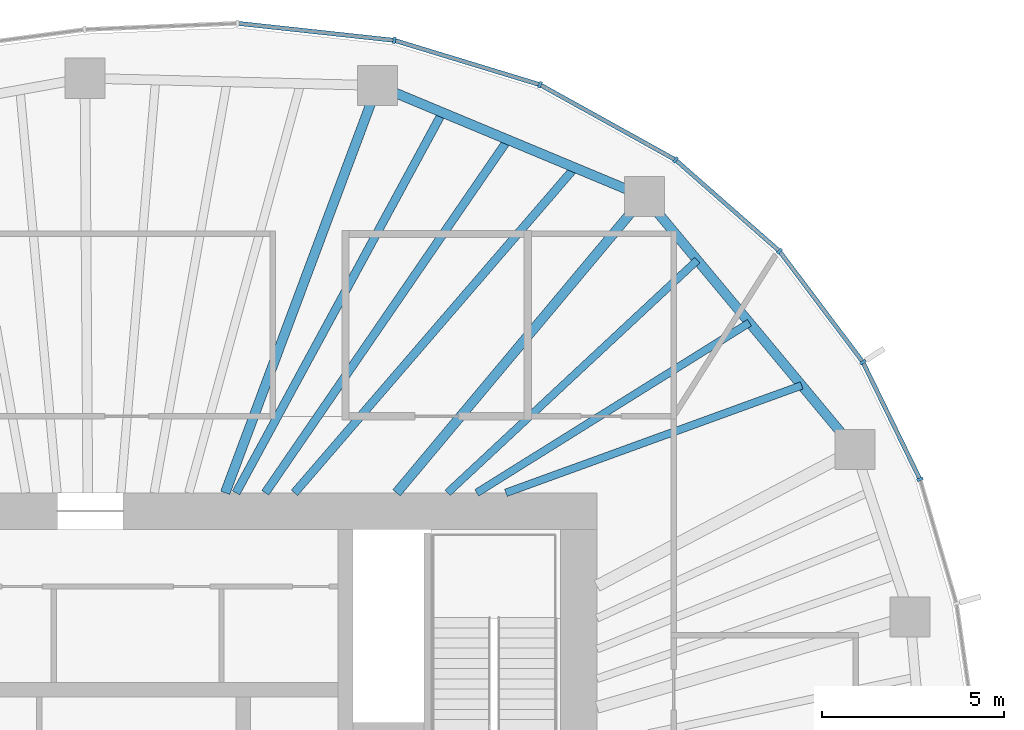
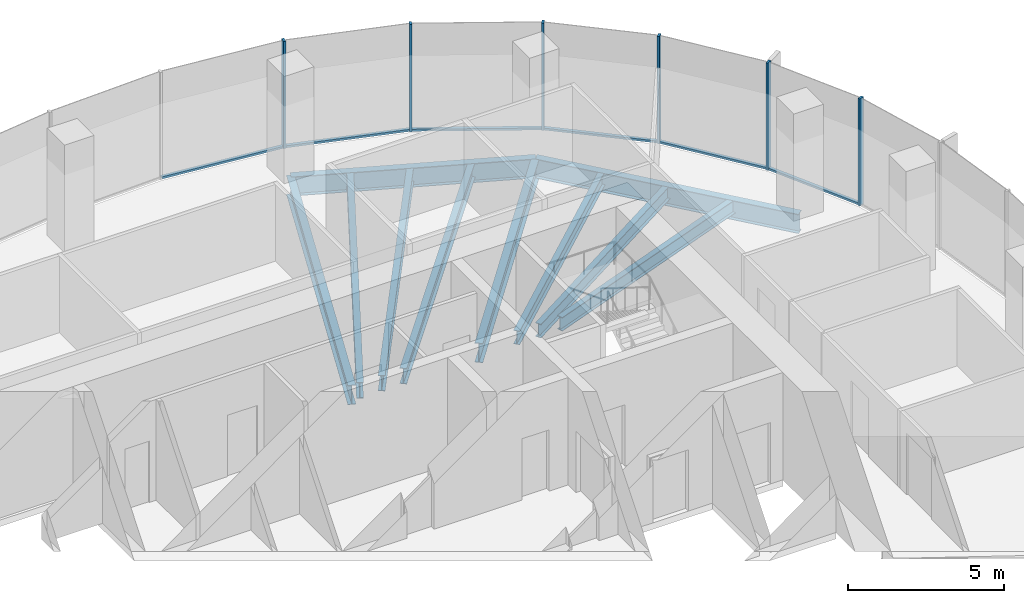
# One storey, part 6 of 12: 12 members, 10 beams, 4 elements without a shape of their own.
"""IFC4 building model written with IfcOpenShell, lengths in metres."""

from ifc_helpers import new_model, si_unit, direction, frame, origin, origin_2d, place, context, subcontext, project, spatial, rectangle, i_section, extrude, material, material_profile, profile_set, type_object, element, aggregate, save


model = new_model("IFC4")

# Units and contexts
model_context = context("Model", 3, precision=1e-05, world=origin(), true_north=direction((0.0, 1.0)))
body_context = subcontext(model_context, "Body", "Model", "MODEL_VIEW")
ifc_project = project(units=[si_unit("LENGTHUNIT", "METRE"), si_unit("AREAUNIT", "SQUARE_METRE"), si_unit("VOLUMEUNIT", "CUBIC_METRE"), si_unit("PLANEANGLEUNIT", "RADIAN"), si_unit("MASSUNIT", "GRAM", prefix="KILO")], contexts=[model_context])

# Site, building, storey
site_placement = place(None, origin())
site = spatial("IfcSite", under=ifc_project, at=site_placement, CompositionType="ELEMENT")
building_placement = place(site_placement, origin())
building = spatial("IfcBuilding", under=site, at=building_placement, Name="Ghaith Harvest Tower", CompositionType="ELEMENT")
storey_placement = place(building_placement, frame((0.0, 0.0, 296.39990234375)))
storey = spatial("IfcBuildingStorey", under=building, at=storey_placement, Name="L66", CompositionType="ELEMENT", Elevation=296.39990234375)

# Curtain wall, member
ifc_material_1 = material(Name="Black anodised aluminium and fritted glass", Category="aluminium")
curtain_wall_type = type_object("IfcCurtainWallType", Name="CW-T CURTAIN WALL", PredefinedType="NOTDEFINED", material=ifc_material_1)
curtain_wall_1_placement = place(storey_placement, origin())
curtain_wall_1 = element("IfcCurtainWall", 1, at=curtain_wall_1_placement, inside=storey, type_object=curtain_wall_type, Name="Curtain wall CW-T bay 02 L66", PredefinedType="NOTDEFINED")
ifc_material_2 = material(Name="Aluminium, black anodised", Category="aluminium")
ifc_material_profile_1 = material_profile(ifc_material_2, rectangle(XDim=0.080078125, YDim=0.179931640625, at=origin_2d()), Name="CW-T MULLION 80x180")
ifc_profile_set_1 = profile_set([ifc_material_profile_1], Name="Aluminium, black anodised")
member_type_1 = type_object("IfcMemberType", Name="CW-T MULLION 80x180", PredefinedType="MULLION", material=ifc_profile_set_1)
member_1_placement = place(storey_placement, frame((22.754150390625, 10.272216796875, 0.0), z_axis=(0.0, 0.0, 1.0), x_axis=(-0.361184273709, 0.932494461338, 0.0)))
member_1 = element("IfcMember", 2, at=member_1_placement, type_object=member_type_1, Name="CW-T mullion 2 bay 02 L66", PredefinedType="MULLION", context=body_context, shape_type="SweptSolid", body=[
    extrude(rectangle(XDim=0.080078125, YDim=0.179931640625, at=origin_2d()), origin(), (0.0, 0.0, 1.0), 4.2001953125),
])

# Curtain wall, members
curtain_wall_2_placement = place(storey_placement, origin())
curtain_wall_2 = element("IfcCurtainWall", 3, at=curtain_wall_2_placement, inside=storey, type_object=curtain_wall_type, Name="Curtain wall CW-T bay 03 L66", PredefinedType="NOTDEFINED")
member_2_placement = place(storey_placement, frame((21.18896484375, 13.48486328125, 0.0), z_axis=(0.0, 0.0, 1.0), x_axis=(-0.524482238522, 0.851421388899, 0.0)))
member_2 = element("IfcMember", 4, at=member_2_placement, type_object=member_type_1, Name="CW-T mullion 1 bay 03 L66", PredefinedType="MULLION", context=body_context, shape_type="SweptSolid", body=[
    extrude(rectangle(XDim=0.080078125, YDim=0.179931640625, at=origin_2d()), origin(), (0.0, 0.0, 1.0), 4.2001953125),
])
member_3_placement = place(storey_placement, frame((18.901123046875, 16.527099609375, 0.0), z_axis=(0.0, 0.0, 1.0), x_axis=(-0.679660897075, 0.733526458274, 0.0)))
member_3 = element("IfcMember", 5, at=member_3_placement, type_object=member_type_1, Name="CW-T mullion 2 bay 03 L66", PredefinedType="MULLION", context=body_context, shape_type="SweptSolid", body=[
    extrude(rectangle(XDim=0.080078125, YDim=0.179931640625, at=origin_2d()), origin(), (0.0, 0.0, 1.0), 4.2001953125),
])

curtain_wall_3_placement = place(storey_placement, origin())
curtain_wall_3 = element("IfcCurtainWall", 6, at=curtain_wall_3_placement, inside=storey, type_object=curtain_wall_type, Name="Curtain wall CW-T bay 04 L66", PredefinedType="NOTDEFINED")
member_4_placement = place(storey_placement, frame((16.04931640625, 19.031982421875, 0.0), z_axis=(0.0, 0.0, 1.0), x_axis=(-0.821112053873, 0.570767023385, 0.0)))
member_4 = element("IfcMember", 7, at=member_4_placement, type_object=member_type_1, Name="CW-T mullion 1 bay 04 L66", PredefinedType="MULLION", context=body_context, shape_type="SweptSolid", body=[
    extrude(rectangle(XDim=0.080078125, YDim=0.179931640625, at=origin_2d()), origin(), (0.0, 0.0, 1.0), 4.2001953125),
])
member_5_placement = place(storey_placement, frame((12.334228515625, 21.091796875, 0.0), z_axis=(0.0, 0.0, 1.0), x_axis=(-0.920319269246, 0.391168049123, 0.0)))
member_5 = element("IfcMember", 8, at=member_5_placement, type_object=member_type_1, Name="CW-T mullion 2 bay 04 L66", PredefinedType="MULLION", context=body_context, shape_type="SweptSolid", body=[
    extrude(rectangle(XDim=0.080078125, YDim=0.179931640625, at=origin_2d()), origin(), (0.0, 0.0, 1.0), 4.2001953125),
])

# Curtain wall, member
curtain_wall_4_placement = place(storey_placement, origin())
curtain_wall_4 = element("IfcCurtainWall", 9, at=curtain_wall_4_placement, inside=storey, type_object=curtain_wall_type, Name="Curtain wall CW-T bay 05 L66", PredefinedType="NOTDEFINED")
member_6_placement = place(storey_placement, frame((8.33984375, 22.308837890625, 0.0), z_axis=(0.0, 0.0, 1.0), x_axis=(-0.980000193436, 0.198996534809, 0.0)))
member_6 = element("IfcMember", 10, at=member_6_placement, type_object=member_type_1, Name="CW-T mullion 1 bay 05 L66", PredefinedType="MULLION", context=body_context, shape_type="SweptSolid", body=[
    extrude(rectangle(XDim=0.080078125, YDim=0.179931640625, at=origin_2d()), origin(), (0.0, 0.0, 1.0), 4.2001953125),
])

# Member
ifc_material_3 = material(Name="Aluminium, black anodised", Category="aluminium")
ifc_material_profile_2 = material_profile(ifc_material_3, rectangle(XDim=0.1201171875, YDim=0.080078125, at=origin_2d()), Name="CW-T TRANSOM 120x80")
ifc_profile_set_2 = profile_set([ifc_material_profile_2], Name="Aluminium, black anodised")
member_type_2 = type_object("IfcMemberType", Name="CW-T TRANSOM 120x80", PredefinedType="USERDEFINED", material=ifc_profile_set_2)
member_7_placement = place(storey_placement, frame((22.736572265625, 10.308349609375, 0.0400390625), z_axis=(-0.437965078712, 0.898991985408, 0.0), x_axis=(-0.898991985408, -0.437965078712, 0.0)))
member_7 = element("IfcMember", 11, at=member_7_placement, type_object=member_type_2, Name="CW-T transom 2 bay 02 L66", ObjectType="TRANSOM", PredefinedType="USERDEFINED", context=body_context, shape_type="SweptSolid", body=[
    extrude(rectangle(XDim=0.1201171875, YDim=0.080078125, at=origin_2d()), origin(), (0.0, 0.0, 1.0), 3.493408203125),
])

aggregate(curtain_wall_1, [member_1, member_7])

member_8_placement = place(storey_placement, frame((21.1650390625, 13.516845703125, 0.0400390625), z_axis=(-0.601079103045, 0.799189534392, 0.0), x_axis=(-0.799189534392, -0.601079103045, 0.0)))
member_8 = element("IfcMember", 12, at=member_8_placement, type_object=member_type_2, Name="CW-T transom 1 bay 03 L66", ObjectType="TRANSOM", PredefinedType="USERDEFINED", context=body_context, shape_type="SweptSolid", body=[
    extrude(rectangle(XDim=0.1201171875, YDim=0.080078125, at=origin_2d()), origin(), (0.0, 0.0, 1.0), 3.7265625),
])

member_9_placement = place(storey_placement, frame((18.87109375, 16.553466796875, 0.0400390625), z_axis=(-0.751325799984, 0.659931467865, 0.0), x_axis=(-0.659931467865, -0.751325799984, 0.0)))
member_9 = element("IfcMember", 13, at=member_9_placement, type_object=member_type_2, Name="CW-T transom 2 bay 03 L66", ObjectType="TRANSOM", PredefinedType="USERDEFINED", context=body_context, shape_type="SweptSolid", body=[
    extrude(rectangle(XDim=0.1201171875, YDim=0.080078125, at=origin_2d()), origin(), (0.0, 0.0, 1.0), 3.7158203125),
])

aggregate(curtain_wall_2, [member_2, member_8, member_3, member_9])

member_10_placement = place(storey_placement, frame((16.01416015625, 19.051513671875, 0.0400390625), z_axis=(-0.874552130553, 0.484931511603, 0.0), x_axis=(-0.484931511603, -0.874552130553, 0.0)))
member_10 = element("IfcMember", 14, at=member_10_placement, type_object=member_type_2, Name="CW-T transom 1 bay 04 L66", ObjectType="TRANSOM", PredefinedType="USERDEFINED", context=body_context, shape_type="SweptSolid", body=[
    extrude(rectangle(XDim=0.1201171875, YDim=0.080078125, at=origin_2d()), origin(), (0.0, 0.0, 1.0), 4.16748046875),
])

member_11_placement = place(storey_placement, frame((12.296142578125, 21.103515625, 0.0400390625), z_axis=(-0.956593713342, 0.291424891858, 0.0), x_axis=(-0.291424891858, -0.956593713342, 0.0)))
member_11 = element("IfcMember", 15, at=member_11_placement, type_object=member_type_2, Name="CW-T transom 2 bay 04 L66", ObjectType="TRANSOM", PredefinedType="USERDEFINED", context=body_context, shape_type="SweptSolid", body=[
    extrude(rectangle(XDim=0.1201171875, YDim=0.080078125, at=origin_2d()), origin(), (0.0, 0.0, 1.0), 4.095703125),
])

aggregate(curtain_wall_3, [member_4, member_10, member_5, member_11])

member_12_placement = place(storey_placement, frame((8.300048828125, 22.313232421875, 0.0400390625), z_axis=(-0.994144463069, 0.108059180768, 0.0), x_axis=(-0.108059180768, -0.994144463069, 0.0)))
member_12 = element("IfcMember", 16, at=member_12_placement, type_object=member_type_2, Name="CW-T transom 1 bay 05 L66", ObjectType="TRANSOM", PredefinedType="USERDEFINED", context=body_context, shape_type="SweptSolid", body=[
    extrude(rectangle(XDim=0.1201171875, YDim=0.080078125, at=origin_2d()), origin(), (0.0, 0.0, 1.0), 4.24755859375),
])

aggregate(curtain_wall_4, [member_6, member_12])

# Beams
ifc_material_4 = material(Name="Steel ASTM A992 Grade 50", Category="steel")
ifc_material_profile_3 = material_profile(ifc_material_4, i_section(OverallWidth=0.26611328125, OverallDepth=0.758056640625, WebThickness=0.013916015625, FlangeThickness=0.019287109375, at=origin_2d()), Name="W760X161")
ifc_profile_set_3 = profile_set([ifc_material_profile_3], Name="Steel ASTM A992 Grade 50")
beam_type_1 = type_object("IfcBeamType", Name="E760-161 W760X161", PredefinedType="SPANDREL", material=ifc_profile_set_3)
beam_1_placement = place(storey_placement, frame((20.97705078125, 11.087890625, -0.548828125), z_axis=(-0.640173759088, 0.76823014662, 0.0), x_axis=(-0.76823014662, -0.640173759088, 0.0)))
element("IfcBeam", 17, at=beam_1_placement, inside=storey, type_object=beam_type_1, Name="Edge beam E03 L66", PredefinedType="SPANDREL", context=body_context, shape_type="SweptSolid", body=[
    extrude(i_section(OverallWidth=0.26611328125, OverallDepth=0.758056640625, WebThickness=0.013916015625, FlangeThickness=0.019287109375, at=origin_2d()), origin(), (0.0, 0.0, 1.0), 9.02734375),
])
beam_2_placement = place(storey_placement, frame((15.197998046875, 18.02294921875, -0.548828125), z_axis=(-0.923119729219, 0.384512633766, 0.0), x_axis=(-0.384512633766, -0.923119729219, 0.0)))
element("IfcBeam", 18, at=beam_2_placement, inside=storey, type_object=beam_type_1, Name="Edge beam E04 L66", PredefinedType="SPANDREL", context=body_context, shape_type="SweptSolid", body=[
    extrude(i_section(OverallWidth=0.26611328125, OverallDepth=0.758056640625, WebThickness=0.013916015625, FlangeThickness=0.019287109375, at=origin_2d()), origin(), (0.0, 0.0, 1.0), 7.9296875),
])
ifc_material_5 = material(Name="Steel ASTM A992 Grade 50", Category="steel")
ifc_material_profile_4 = material_profile(ifc_material_5, i_section(OverallWidth=0.26611328125, OverallDepth=0.758056640625, WebThickness=0.013916015625, FlangeThickness=0.019287109375, at=origin_2d()), Name="W760X161")
ifc_profile_set_4 = profile_set([ifc_material_profile_4], Name="Steel ASTM A992 Grade 50")
beam_type_2 = type_object("IfcBeamType", Name="G760-161 W760X161", PredefinedType="BEAM", material=ifc_profile_set_4)
beam_3_placement = place(storey_placement, frame((8.39990234375, 9.89990234375, -0.548828125), z_axis=(0.641792628883, 0.766878231215, 0.0), x_axis=(-0.766878231215, 0.641792628883, 0.0)))
element("IfcBeam", 19, at=beam_3_placement, inside=storey, type_object=beam_type_2, Name="Radial girder G04 L66", PredefinedType="BEAM", context=body_context, shape_type="SweptSolid", body=[
    extrude(i_section(OverallWidth=0.26611328125, OverallDepth=0.758056640625, WebThickness=0.013916015625, FlangeThickness=0.019287109375, at=origin_2d()), origin(), (0.0, 0.0, 1.0), 10.59228515625),
])
beam_4_placement = place(storey_placement, frame((3.700927734375, 9.89990234375, -0.548828125), z_axis=(0.350201332531, 0.936674450753, 0.0), x_axis=(-0.936674450753, 0.350201332531, 0.0)))
element("IfcBeam", 20, at=beam_4_placement, inside=storey, type_object=beam_type_2, Name="Radial girder G05 L66", PredefinedType="BEAM", context=body_context, shape_type="SweptSolid", body=[
    extrude(i_section(OverallWidth=0.26611328125, OverallDepth=0.758056640625, WebThickness=0.013916015625, FlangeThickness=0.019287109375, at=origin_2d()), origin(), (0.0, 0.0, 1.0), 11.927490234375),
])
ifc_material_6 = material(Name="Steel ASTM A992 Grade 50", Category="steel")
ifc_material_profile_5 = material_profile(ifc_material_6, i_section(OverallWidth=0.2109375, OverallDepth=0.5390625, WebThickness=0.01171875, FlangeThickness=0.018798828125, at=origin_2d()), Name="W530X109")
ifc_profile_set_5 = profile_set([ifc_material_profile_5], Name="Steel ASTM A992 Grade 50")
beam_type_3 = type_object("IfcBeamType", Name="J530-109 W530X109", PredefinedType="JOIST", material=ifc_profile_set_5)
beam_5_placement = place(storey_placement, frame((11.39990234375, 9.89990234375, -0.439453125), z_axis=(0.939925501564, 0.341379629605, 0.0), x_axis=(-0.341379629605, 0.939925501564, 0.0)))
element("IfcBeam", 21, at=beam_5_placement, inside=storey, type_object=beam_type_3, Name="Joist J03.1 L66", PredefinedType="JOIST", context=body_context, shape_type="SweptSolid", body=[
    extrude(i_section(OverallWidth=0.2109375, OverallDepth=0.5390625, WebThickness=0.01171875, FlangeThickness=0.018798828125, at=origin_2d()), origin(), (0.0, 0.0, 1.0), 8.630615234375),
])
beam_6_placement = place(storey_placement, frame((10.60009765625, 9.89990234375, -0.439453125), z_axis=(0.84837619421, 0.52939383553, 0.0), x_axis=(-0.52939383553, 0.84837619421, 0.0)))
element("IfcBeam", 22, at=beam_6_placement, inside=storey, type_object=beam_type_3, Name="Joist J03.2 L66", PredefinedType="JOIST", context=body_context, shape_type="SweptSolid", body=[
    extrude(i_section(OverallWidth=0.2109375, OverallDepth=0.5390625, WebThickness=0.01171875, FlangeThickness=0.018798828125, at=origin_2d()), origin(), (0.0, 0.0, 1.0), 8.814697265625),
])
beam_7_placement = place(storey_placement, frame((9.800048828125, 9.89990234375, -0.439453125), z_axis=(0.73164904944, 0.681681500742, 0.0), x_axis=(-0.681681500742, 0.73164904944, 0.0)))
element("IfcBeam", 23, at=beam_7_placement, inside=storey, type_object=beam_type_3, Name="Joist J03.3 L66", PredefinedType="JOIST", context=body_context, shape_type="SweptSolid", body=[
    extrude(i_section(OverallWidth=0.2109375, OverallDepth=0.5390625, WebThickness=0.01171875, FlangeThickness=0.018798828125, at=origin_2d()), origin(), (0.0, 0.0, 1.0), 9.361572265625),
])
ifc_material_7 = material(Name="Steel ASTM A992 Grade 50", Category="steel")
ifc_material_profile_6 = material_profile(ifc_material_7, i_section(OverallWidth=0.22998046875, OverallDepth=0.616943359375, WebThickness=0.01318359375, FlangeThickness=0.022216796875, at=origin_2d()), Name="W610X140")
ifc_profile_set_6 = profile_set([ifc_material_profile_6], Name="Steel ASTM A992 Grade 50")
beam_type_4 = type_object("IfcBeamType", Name="J610-140 W610X140", PredefinedType="JOIST", material=ifc_profile_set_6)
beam_8_placement = place(storey_placement, frame((5.60009765625, 9.89990234375, -0.478515625), z_axis=(0.652992938501, 0.757363995888, 0.0), x_axis=(-0.757363995888, 0.652992938501, 0.0)))
element("IfcBeam", 24, at=beam_8_placement, inside=storey, type_object=beam_type_4, Name="Joist J04.1 L66", PredefinedType="JOIST", context=body_context, shape_type="SweptSolid", body=[
    extrude(i_section(OverallWidth=0.22998046875, OverallDepth=0.616943359375, WebThickness=0.01318359375, FlangeThickness=0.022216796875, at=origin_2d()), origin(), (0.0, 0.0, 1.0), 11.775390625),
])
beam_9_placement = place(storey_placement, frame((4.800048828125, 9.89990234375, -0.478515625), z_axis=(0.566228035119, 0.824248634967, 0.0), x_axis=(-0.824248634967, 0.566228035119, 0.0)))
element("IfcBeam", 25, at=beam_9_placement, inside=storey, type_object=beam_type_4, Name="Joist J04.2 L66", PredefinedType="JOIST", context=body_context, shape_type="SweptSolid", body=[
    extrude(i_section(OverallWidth=0.22998046875, OverallDepth=0.616943359375, WebThickness=0.01318359375, FlangeThickness=0.022216796875, at=origin_2d()), origin(), (0.0, 0.0, 1.0), 11.748046875),
])
beam_10_placement = place(storey_placement, frame((4.0, 9.89990234375, -0.478515625), z_axis=(0.476764926531, 0.879030832696, 0.0), x_axis=(-0.879030832696, 0.476764926531, 0.0)))
element("IfcBeam", 26, at=beam_10_placement, inside=storey, type_object=beam_type_4, Name="Joist J04.3 L66", PredefinedType="JOIST", context=body_context, shape_type="SweptSolid", body=[
    extrude(i_section(OverallWidth=0.22998046875, OverallDepth=0.616943359375, WebThickness=0.01318359375, FlangeThickness=0.022216796875, at=origin_2d()), origin(), (0.0, 0.0, 1.0), 11.866455078125),
])

save(model, "model.ifc")
